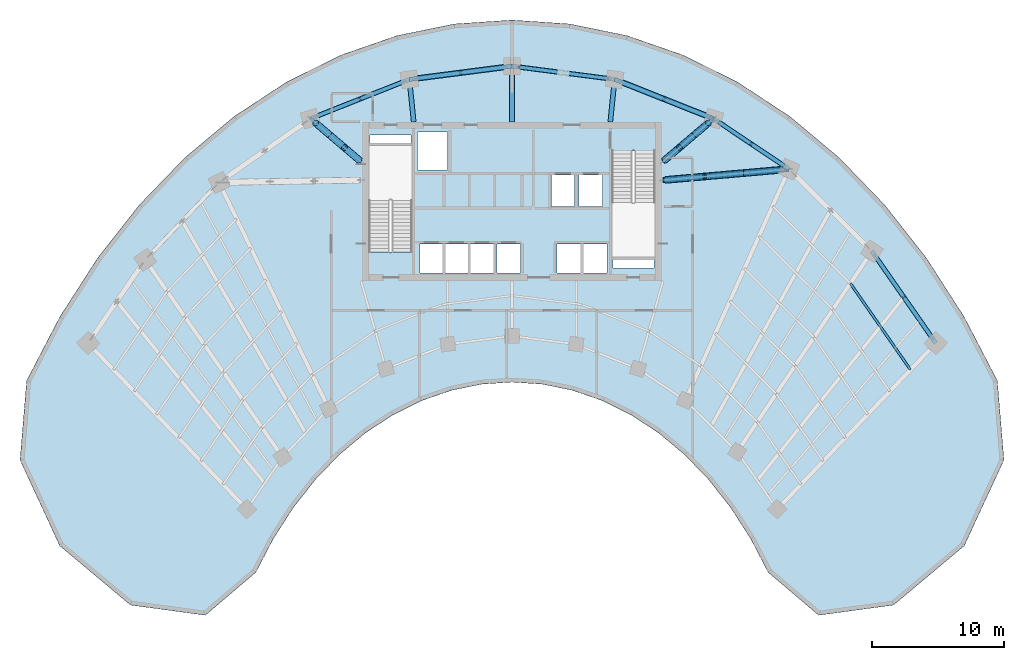
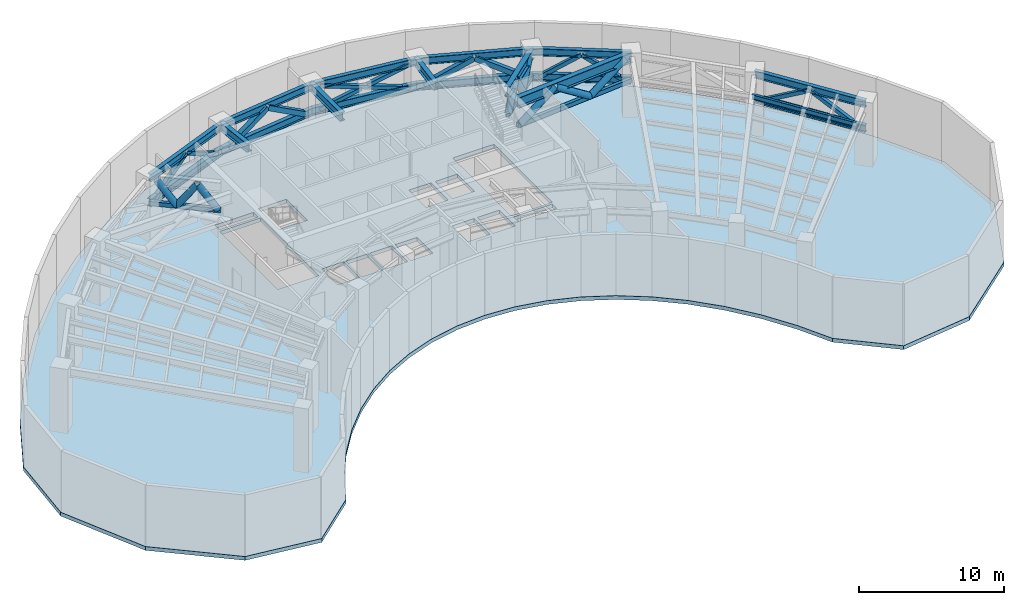
# One storey, part 3 of 10: 25 members, 18 beams, 1 slab.
"""IFC4 building model written with IfcOpenShell, lengths in metres."""

import ifcopenshell
import ifcopenshell.guid

model = None  # the IFC model being written
_history = None  # IfcOwnerHistory: only IFC2X3 demands one
_inside = {}  # id of a spatial element -> (the spatial element, [elements in it])
_under = {}  # id of a project, library or spatial element -> (it, [spatial elements below it])
_declared = {}  # id of a project -> (the project, [libraries it declares])
_typed = {}  # id of a type object -> (the type object, [elements of that type])
_made_of = {}  # id of a material, layer set ... -> (it, [elements and type objects made of it])


def new_model(schema):
    """Start an empty IFC model of exactly this schema.

    Asked for "IFC4X3", IfcOpenShell would pick the latest addendum, in which some entities
    have other attributes; the version numbers below select the first issue.
    IFC2X3 requires an IfcOwnerHistory on every rooted entity: one is made here for all.
    """
    global model, _history
    if schema == "IFC4X3":
        model = ifcopenshell.file(schema_version=(4, 3, 0, 0))
    else:
        model = ifcopenshell.file(schema=schema)
    _inside.clear()
    _under.clear()
    _declared.clear()
    _typed.clear()
    _made_of.clear()
    _history = None
    if model.schema == "IFC2X3":
        org = make("IfcOrganization", Name="unknown")
        user = make(
            "IfcPersonAndOrganization",
            ThePerson=make("IfcPerson", FamilyName="unknown"),
            TheOrganization=org,
        )
        app = make(
            "IfcApplication",
            ApplicationDeveloper=org,
            Version="unknown",
            ApplicationFullName="unknown",
            ApplicationIdentifier="unknown",
        )
        _history = make(
            "IfcOwnerHistory",
            OwningUser=user,
            OwningApplication=app,
            ChangeAction="ADDED",
            CreationDate=0,
        )
    return model


def make(cls, **values):
    """One entity of the class cls with the attributes given. An attribute that is None is left unset."""
    return model.create_entity(
        cls, **{name: value for name, value in values.items() if value is not None}
    )


def rooted(cls, **values):
    """An entity with a GlobalId (a new one), such as an element, a storey or a relation."""
    return make(cls, GlobalId=ifcopenshell.guid.new(), OwnerHistory=_history, **values)


def si_unit(unit_type, name, prefix=None):
    """IfcSIUnit, for example si_unit("LENGTHUNIT", "METRE", prefix="MILLI")."""
    return make("IfcSIUnit", UnitType=unit_type, Prefix=prefix, Name=name)


def assignment(units):
    """IfcUnitAssignment: the units of a project."""
    return None if units is None else make("IfcUnitAssignment", Units=units)


def point(xyz):
    """IfcCartesianPoint."""
    return None if xyz is None else make("IfcCartesianPoint", Coordinates=xyz)


def direction(xyz):
    """IfcDirection."""
    return None if xyz is None else make("IfcDirection", DirectionRatios=xyz)


def frame(location, z_axis=None, x_axis=None):
    """IfcAxis2Placement3D, a coordinate frame: its origin and axes. An axis left out is left unset."""
    return make(
        "IfcAxis2Placement3D",
        Location=point(location),
        Axis=direction(z_axis),
        RefDirection=direction(x_axis),
    )


def frame_2d(location, x_axis=None):
    """IfcAxis2Placement2D, a coordinate frame in the plane: its origin and x axis."""
    return make(
        "IfcAxis2Placement2D", Location=point(location), RefDirection=direction(x_axis)
    )


def origin():
    """The frame at (0, 0, 0) with its axes left unset."""
    return frame((0.0, 0.0, 0.0))


def origin_2d():
    """The frame at (0, 0) in the plane with its x axis left unset."""
    return frame_2d((0.0, 0.0))


def place(relative_to, where):
    """IfcLocalPlacement: puts the frame where relative to a parent placement (None: the world)."""
    return make(
        "IfcLocalPlacement", PlacementRelTo=relative_to, RelativePlacement=where
    )


def context(
    kind, dimensions, precision=None, world=None, true_north=None, identifier=None
):
    """IfcGeometricRepresentationContext, for example the 3D "Model" context."""
    return make(
        "IfcGeometricRepresentationContext",
        ContextIdentifier=identifier,
        ContextType=kind,
        CoordinateSpaceDimension=dimensions,
        Precision=precision,
        WorldCoordinateSystem=world,
        TrueNorth=true_north,
    )


def subcontext(parent, identifier, kind, view, scale=None):
    """IfcGeometricRepresentationSubContext, for example "Body" below "Model"."""
    return make(
        "IfcGeometricRepresentationSubContext",
        ContextIdentifier=identifier,
        ContextType=kind,
        ParentContext=parent,
        TargetScale=scale,
        TargetView=view,
    )


def project(units=None, contexts=None):
    """IfcProject with its units and contexts."""
    return rooted(
        "IfcProject",
        Name="project",
        RepresentationContexts=contexts,
        UnitsInContext=assignment(units),
    )


def spatial(cls, under=None, at=None, **own):
    """A site, building, storey or space (cls), placed at a placement, below another one or the project."""
    s = rooted(cls, ObjectPlacement=at, **own)
    if under is not None:
        _under.setdefault(under.id(), (under, []))[1].append(s)
    return s


def polyline(points):
    """IfcPolyline through the points."""
    return make("IfcPolyline", Points=[point(p) for p in points])


def profile(cls, at=None, kind="AREA", **sizes):
    """A parametric profile (cls). Its sizes go by their IFC names, for example OverallWidth=200.0."""
    return make(cls, ProfileType=kind, Position=at, **sizes)


def hollow_rectangle(**sizes):
    """IfcRectangleHollowProfileDef."""
    return profile("IfcRectangleHollowProfileDef", **sizes)


def hollow_circle(**sizes):
    """IfcCircleHollowProfileDef."""
    return profile("IfcCircleHollowProfileDef", **sizes)


def i_section(**sizes):
    """IfcIShapeProfileDef."""
    return profile("IfcIShapeProfileDef", **sizes)


def outline(outer, holes=None, kind="AREA"):
    """IfcArbitraryClosedProfileDef: a profile drawn as a closed curve; with holes, ...WithVoids."""
    if holes is None:
        return make("IfcArbitraryClosedProfileDef", ProfileType=kind, OuterCurve=outer)
    return make(
        "IfcArbitraryProfileDefWithVoids",
        ProfileType=kind,
        OuterCurve=outer,
        InnerCurves=holes,
    )


def extrude(swept, where, along, depth):
    """IfcExtrudedAreaSolid: the profile swept, set in the frame where, extruded along a direction by depth."""
    return make(
        "IfcExtrudedAreaSolid",
        SweptArea=swept,
        Position=where,
        ExtrudedDirection=direction(along),
        Depth=depth,
    )


def shape(context_of_items, identifier, shape_type, items):
    """IfcShapeRepresentation: the items that make up one representation, for example the "Body"."""
    return make(
        "IfcShapeRepresentation",
        ContextOfItems=context_of_items,
        RepresentationIdentifier=identifier,
        RepresentationType=shape_type,
        Items=items,
    )


def source(mapping_origin, context_of_items, identifier, shape_type, items):
    """IfcRepresentationMap: a shape defined once, which mapped items show again and again."""
    return make(
        "IfcRepresentationMap",
        MappingOrigin=mapping_origin,
        MappedRepresentation=shape(context_of_items, identifier, shape_type, items),
    )


def transform(
    local_origin,
    x_axis=None,
    y_axis=None,
    z_axis=None,
    scale=None,
    scale2=None,
    scale3=None,
    uniform=True,
):
    """IfcCartesianTransformationOperator3D, or its non-uniform kind. x_axis, y_axis, z_axis: its Axis1, 2, 3."""
    if uniform:
        return make(
            "IfcCartesianTransformationOperator3D",
            Axis1=direction(x_axis),
            Axis2=direction(y_axis),
            LocalOrigin=point(local_origin),
            Scale=scale,
            Axis3=direction(z_axis),
        )
    return make(
        "IfcCartesianTransformationOperator3DnonUniform",
        Axis1=direction(x_axis),
        Axis2=direction(y_axis),
        LocalOrigin=point(local_origin),
        Scale=scale,
        Axis3=direction(z_axis),
        Scale2=scale2,
        Scale3=scale3,
    )


def mapped(mapping_source, mapping_target):
    """IfcMappedItem: shows the shape of a source again, moved by a transform."""
    return make(
        "IfcMappedItem", MappingSource=mapping_source, MappingTarget=mapping_target
    )


def material(Name=None, Category=None):
    """IfcMaterial."""
    return make("IfcMaterial", Name=Name, Category=Category)


def layer(
    of_material, thickness, ventilated=None, Name=None, Category=None, Priority=None
):
    """IfcMaterialLayer: one layer of a wall or slab, of a material (None: an air gap)."""
    return make(
        "IfcMaterialLayer",
        Material=of_material,
        LayerThickness=thickness,
        IsVentilated=ventilated,
        Name=Name,
        Category=Category,
        Priority=Priority,
    )


def layer_set(layers, Name=None):
    """IfcMaterialLayerSet."""
    return make("IfcMaterialLayerSet", MaterialLayers=layers, LayerSetName=Name)


def material_profile(
    of_material, cross_section, Name=None, Category=None, Priority=None
):
    """IfcMaterialProfile: a cross section and its material."""
    return make(
        "IfcMaterialProfile",
        Name=Name,
        Material=of_material,
        Profile=cross_section,
        Priority=Priority,
        Category=Category,
    )


def profile_set(profiles, Name=None, composite=None):
    """IfcMaterialProfileSet."""
    return make(
        "IfcMaterialProfileSet",
        Name=Name,
        MaterialProfiles=profiles,
        CompositeProfile=composite,
    )


def made_of(thing, what):
    """Note that an element or type object is made of a material, layer set ...; save() writes the relation."""
    if what is not None:
        _made_of.setdefault(what.id(), (what, []))[1].append(thing)
    return thing


def type_object(cls, material=None, **own):
    """A type object (cls), such as IfcWallType, which elements share."""
    return made_of(rooted(cls, **own), material)


def element(
    cls,
    number,
    at=None,
    inside=None,
    cuts=None,
    type_object=None,
    material=None,
    context=None,
    identifier="Body",
    shape_type=None,
    held_by="IfcProductDefinitionShape",
    body=None,
    shapes=None,
    **own,
):
    """One element of the class cls, such as IfcWall. Its Tag is "e" and its number.

    at: its placement. inside: the storey or other place that contains it. cuts: it is an
    opening in that element (IfcRelVoidsElement). A single representation is given by context,
    identifier, shape_type and body (its items); several are given by shapes. held_by: the class
    of the entity that holds the representations. save() writes the other relations.
    """
    e = rooted(cls, Tag="e%d" % number, ObjectPlacement=at, **own)
    if body is not None:
        shapes = [shape(context, identifier, shape_type, body)]
    if shapes is not None:
        e.Representation = make(held_by, Representations=shapes)
    if inside is not None:
        _inside.setdefault(inside.id(), (inside, []))[1].append(e)
    if cuts is not None:
        rooted(
            "IfcRelVoidsElement", RelatingBuildingElement=cuts, RelatedOpeningElement=e
        )
    if type_object is not None:
        _typed.setdefault(type_object.id(), (type_object, []))[1].append(e)
    return made_of(e, material)


def aggregate(whole, parts):
    """IfcRelAggregates: a whole, such as a stair, and the parts it consists of."""
    return rooted("IfcRelAggregates", RelatingObject=whole, RelatedObjects=parts)


def save(model, path):
    """Write the relations noted so far, then the file.

    IfcRelAggregates (storeys below a building ...), IfcRelContainedInSpatialStructure (elements
    in a storey), IfcRelDefinesByType, IfcRelAssociatesMaterial and IfcRelDeclares: one each for
    every whole, place, type object, material and project.
    """
    for whole, parts in _under.values():
        aggregate(whole, parts)
    for where, things in _inside.values():
        rooted(
            "IfcRelContainedInSpatialStructure",
            RelatedElements=things,
            RelatingStructure=where,
        )
    for kind, things in _typed.values():
        rooted("IfcRelDefinesByType", RelatedObjects=things, RelatingType=kind)
    for what, things in _made_of.values():
        rooted("IfcRelAssociatesMaterial", RelatedObjects=things, RelatingMaterial=what)
    for by, libraries in _declared.values():
        rooted("IfcRelDeclares", RelatingContext=by, RelatedDefinitions=libraries)
    model.write(path)


model = new_model("IFC4")

# Units and contexts
model_context = context("Model", 3, precision=1e-05, world=origin(), true_north=direction((0.0, 1.0)))
body_context = subcontext(model_context, "Body", "Model", "MODEL_VIEW")
ifc_project = project(units=[si_unit("LENGTHUNIT", "METRE"), si_unit("AREAUNIT", "SQUARE_METRE"), si_unit("VOLUMEUNIT", "CUBIC_METRE"), si_unit("PLANEANGLEUNIT", "RADIAN"), si_unit("MASSUNIT", "GRAM", prefix="KILO")], contexts=[model_context])

# Site, building, storey
site_placement = place(None, origin())
site = spatial("IfcSite", under=ifc_project, at=site_placement, CompositionType="ELEMENT")
building_placement = place(site_placement, origin())
building = spatial("IfcBuilding", under=site, at=building_placement, Name="Breltana Convention Tower", CompositionType="ELEMENT")
storey_placement = place(building_placement, frame((0.0, 0.0, 85.800048828125)))
storey = spatial("IfcBuildingStorey", under=building, at=storey_placement, Name="L20", CompositionType="ELEMENT", Elevation=85.800048828125)

# Beam
ifc_material_1 = material(Name="Steel ASTM A992 Grade 50", Category="steel")
ifc_material_profile_1 = material_profile(ifc_material_1, i_section(OverallWidth=0.39990234375, OverallDepth=0.85595703125, WebThickness=0.018310546875, FlangeThickness=0.029296875, at=origin_2d()), Name="W33X201")
ifc_profile_set_1 = profile_set([ifc_material_profile_1], Name="Steel ASTM A992 Grade 50")
beam_type_1 = type_object("IfcBeamType", Name="BM-OT-W33X201", PredefinedType="USERDEFINED", material=ifc_profile_set_1)
shared_shape_1 = source(origin(), body_context, "Body", "SweptSolid", [
    extrude(i_section(OverallWidth=0.39990234375, OverallDepth=0.85595703125, WebThickness=0.018310546875, FlangeThickness=0.029296875, at=origin_2d()), origin(), (0.0, 0.0, 1.0), 5.002197265625),
])
beam_1_placement = place(storey_placement, frame((59.39990234375, 69.199951171875, 4.721923828125), z_axis=(0.761474293841, 0.648195109377, 0.0), x_axis=(-0.648195109377, 0.761474293841, 0.0)))
element("IfcBeam", 1, at=beam_1_placement, inside=storey, type_object=beam_type_1, Name="L20 Outrigger Top Chord R08N", ObjectType="GIRDER", PredefinedType="USERDEFINED", context=body_context, shape_type="MappedRepresentation", body=[
    mapped(shared_shape_1, transform((0.0, 0.0, 0.0), scale=1.0)),
])

# Members
ifc_material_2 = material(Name="Steel EN 10210 S355J2H", Category="steel")
ifc_material_profile_2 = material_profile(ifc_material_2, hollow_rectangle(XDim=0.25, YDim=0.35009765625, WallThickness=0.011962890625, at=origin_2d()), Name="RHS350X250X12")
ifc_profile_set_2 = profile_set([ifc_material_profile_2], Name="Steel EN 10210 S355J2H")
member_type_1 = type_object("IfcMemberType", Name="MB-CH-RHS350X250X12", PredefinedType="CHORD", material=ifc_profile_set_2)
shared_shape_2 = source(origin(), body_context, "Body", "SweptSolid", [
    extrude(hollow_rectangle(XDim=0.25, YDim=0.35009765625, WallThickness=0.011962890625, at=origin_2d()), origin(), (0.0, 0.0, 1.0), 5.002197265625),
])
for number, where, z_axis, x_axis, name in (
    (2, (36.60009765625, 69.199951171875, 2.75), (-0.761474293841, 0.648195109377, 0.0), (-0.648195109377, -0.761474293841, 0.0), "L20 Outrigger Truss Bottom Chord R04N"),
    (3, (59.39990234375, 69.199951171875, 2.75), (0.761474293841, 0.648195109377, 0.0), (-0.648195109377, 0.761474293841, 0.0), "L20 Outrigger Truss Bottom Chord R08N"),
):
    element("IfcMember", number, at=place(storey_placement, frame(where, z_axis=z_axis, x_axis=x_axis)), inside=storey, type_object=member_type_1, Name=name, PredefinedType="CHORD", context=body_context, shape_type="MappedRepresentation", body=[
        mapped(shared_shape_2, transform((0.0, 0.0, 0.0), scale=1.0)),
    ])
ifc_material_profile_3 = material_profile(ifc_material_2, hollow_circle(Radius=0.25390625, WallThickness=0.02001953125, at=origin_2d()), Name="CHS508X20")
ifc_profile_set_3 = profile_set([ifc_material_profile_3], Name="Steel EN 10210 S355J2H")
member_type_2 = type_object("IfcMemberType", Name="MB-BR-CHS508X20", PredefinedType="BRACE", material=ifc_profile_set_3)
shared_shape_3 = source(origin(), body_context, "Body", "SweptSolid", [
    extrude(hollow_circle(Radius=0.25390625, WallThickness=0.02001953125, at=origin_2d()), origin(), (0.0, 0.0, 1.0), 2.438232421875),
])
for number, where, z_axis, x_axis, name in (
    (4, (36.44775390625, 69.32958984375, 2.75), (-0.44786798356, 0.38128354156, 0.808725621108), (-0.648236249952, -0.761439271543, 0.0), "L20 Outrigger Truss Diagonal 1 R04N"),
    (5, (35.355712890625, 70.25927734375, 4.721923828125), (-0.447885080447, 0.381197965853, -0.808756493354), (-0.64813753594, -0.761523298728, 0.0), "L20 Outrigger Truss Diagonal 2 R04N"),
    (6, (34.263671875, 71.188720703125, 2.75), (-0.44786798356, 0.38128354156, 0.808725621108), (-0.648236249952, -0.761439271543, 0.0), "L20 Outrigger Truss Diagonal 3 R04N"),
    (7, (59.55224609375, 69.32958984375, 2.75), (0.44786798356, 0.38128354156, 0.808725621108), (-0.648236249952, 0.761439271543, 0.0), "L20 Outrigger Truss Diagonal 1 R08N"),
    (8, (60.644287109375, 70.25927734375, 4.721923828125), (0.447885080447, 0.381197965853, -0.808756493354), (-0.64813753594, 0.761523298728, 0.0), "L20 Outrigger Truss Diagonal 2 R08N"),
    (9, (61.736328125, 71.188720703125, 2.75), (0.44786798356, 0.38128354156, 0.808725621108), (-0.648236249952, 0.761439271543, 0.0), "L20 Outrigger Truss Diagonal 3 R08N"),
):
    element("IfcMember", number, at=place(storey_placement, frame(where, z_axis=z_axis, x_axis=x_axis)), inside=storey, type_object=member_type_2, Name=name, PredefinedType="BRACE", context=body_context, shape_type="MappedRepresentation", body=[
        mapped(shared_shape_3, transform((0.0, 0.0, 0.0), scale=1.0)),
    ])

# Beam
shared_shape_4 = source(origin(), body_context, "Body", "SweptSolid", [
    extrude(i_section(OverallWidth=0.39990234375, OverallDepth=0.85595703125, WebThickness=0.018310546875, FlangeThickness=0.029296875, at=origin_2d()), origin(), (0.0, 0.0, 1.0), 9.546875),
])
beam_2_placement = place(storey_placement, frame((59.39990234375, 67.800048828125, 4.721923828125), z_axis=(0.996183857182, 0.087279566283, 0.0), x_axis=(-0.087279566283, 0.996183857182, 0.0)))
element("IfcBeam", 10, at=beam_2_placement, inside=storey, type_object=beam_type_1, Name="L20 Outrigger Top Chord R09E", ObjectType="GIRDER", PredefinedType="USERDEFINED", context=body_context, shape_type="MappedRepresentation", body=[
    mapped(shared_shape_4, transform((0.0, 0.0, 0.0), scale=1.0)),
])

# Members
shared_shape_5 = source(origin(), body_context, "Body", "SweptSolid", [
    extrude(hollow_rectangle(XDim=0.25, YDim=0.35009765625, WallThickness=0.011962890625, at=origin_2d()), origin(), (0.0, 0.0, 1.0), 9.546875),
])
member_1_placement = place(storey_placement, frame((59.39990234375, 67.800048828125, 2.75), z_axis=(0.996183857182, 0.087279566283, 0.0), x_axis=(-0.087279566283, 0.996183857182, 0.0)))
element("IfcMember", 11, at=member_1_placement, inside=storey, type_object=member_type_1, Name="L20 Outrigger Truss Bottom Chord R09E", PredefinedType="CHORD", context=body_context, shape_type="MappedRepresentation", body=[
    mapped(shared_shape_5, transform((0.0, 0.0, 0.0), scale=1.0)),
])
shared_shape_6 = source(origin(), body_context, "Body", "SweptSolid", [
    extrude(hollow_circle(Radius=0.25390625, WallThickness=0.02001953125, at=origin_2d()), origin(), (0.0, 0.0, 1.0), 3.5478515625),
])
member_2_placement = place(storey_placement, frame((59.59912109375, 67.8173828125, 2.75), z_axis=(0.828124895283, 0.072600279585, 0.555822235267), x_axis=(-0.087333305676, 0.996179147403, 0.0)))
element("IfcMember", 12, at=member_2_placement, inside=storey, type_object=member_type_2, Name="L20 Outrigger Truss Diagonal 1 R09E", PredefinedType="BRACE", context=body_context, shape_type="MappedRepresentation", body=[
    mapped(shared_shape_6, transform((0.0, 0.0, 0.0), scale=1.0)),
])
shared_shape_7 = source(origin(), body_context, "Body", "SweptSolid", [
    extrude(hollow_circle(Radius=0.25390625, WallThickness=0.02001953125, at=origin_2d()), origin(), (0.0, 0.0, 1.0), 3.54736328125),
])
member_3_placement = place(storey_placement, frame((62.537109375, 68.074951171875, 4.721923828125), z_axis=(0.828085779137, 0.072540094017, -0.555888367527), x_axis=(-0.087265548524, 0.996185085233, 0.0)))
element("IfcMember", 13, at=member_3_placement, inside=storey, type_object=member_type_2, Name="L20 Outrigger Truss Diagonal 2 R09E", PredefinedType="BRACE", context=body_context, shape_type="MappedRepresentation", body=[
    mapped(shared_shape_7, transform((0.0, 0.0, 0.0), scale=1.0)),
])
shared_shape_8 = source(origin(), body_context, "Body", "SweptSolid", [
    extrude(hollow_circle(Radius=0.25390625, WallThickness=0.02001953125, at=origin_2d()), origin(), (0.0, 0.0, 1.0), 3.547607421875),
])
member_4_placement = place(storey_placement, frame((65.474609375, 68.332275390625, 2.75), z_axis=(0.828107406758, 0.072535960004, 0.555856687807), x_axis=(-0.087258351559, 0.996185715659, 0.0)))
element("IfcMember", 14, at=member_4_placement, inside=storey, type_object=member_type_2, Name="L20 Outrigger Truss Diagonal 3 R09E", PredefinedType="BRACE", context=body_context, shape_type="MappedRepresentation", body=[
    mapped(shared_shape_8, transform((0.0, 0.0, 0.0), scale=1.0)),
])

# Beams
ifc_material_profile_4 = material_profile(ifc_material_1, i_section(OverallWidth=0.323974609375, OverallDepth=0.611083984375, WebThickness=0.0126953125, FlangeThickness=0.01904296875, at=origin_2d()), Name="W24X104")
ifc_profile_set_4 = profile_set([ifc_material_profile_4], Name="Steel ASTM A992 Grade 50")
beam_type_2 = type_object("IfcBeamType", Name="BM-SP-W24X104", PredefinedType="SPANDREL", material=ifc_profile_set_4)
shared_shape_9 = source(origin(), body_context, "Body", "SweptSolid", [
    extrude(i_section(OverallWidth=0.323974609375, OverallDepth=0.611083984375, WebThickness=0.0126953125, FlangeThickness=0.01904296875, at=origin_2d()), origin(), (0.0, 0.0, 1.0), 8.028564453125),
])
for number, where, z_axis, x_axis, name in (
    (15, (32.791015625, 72.4423828125, 2.75), (0.929459100394, 0.368925169507, 0.0), (-0.368925169507, 0.929459100394, 0.0), "L20 Perimeter Belt Truss Sill Chord 04"),
    (16, (55.746826171875, 75.404296875, 2.75), (0.929459100394, -0.368925169507, 0.0), (0.368925169507, 0.929459100394, 0.0), "L20 Perimeter Belt Truss Sill Chord 07"),
    (17, (32.791015625, 72.4423828125, 4.844482421875), (0.929459100394, 0.368925169507, 0.0), (-0.368925169507, 0.929459100394, 0.0), "L20 Outer Spandrel Beam 04"),
    (18, (55.746826171875, 75.404296875, 4.844482421875), (0.929459100394, -0.368925169507, 0.0), (0.368925169507, 0.929459100394, 0.0), "L20 Outer Spandrel Beam 07"),
):
    element("IfcBeam", number, at=place(storey_placement, frame(where, z_axis=z_axis, x_axis=x_axis)), inside=storey, type_object=beam_type_2, Name=name, PredefinedType="SPANDREL", context=body_context, shape_type="MappedRepresentation", body=[
        mapped(shared_shape_9, transform((0.0, 0.0, 0.0), scale=1.0)),
    ])

# Members
ifc_material_profile_5 = material_profile(ifc_material_2, hollow_rectangle(XDim=0.300048828125, YDim=0.300048828125, WallThickness=0.011962890625, at=origin_2d()), Name="RHS300X300X12")
ifc_profile_set_5 = profile_set([ifc_material_profile_5], Name="Steel EN 10210 S355J2H")
member_type_3 = type_object("IfcMemberType", Name="MB-BR-RHS300X300X12", PredefinedType="BRACE", material=ifc_profile_set_5)
shared_shape_10 = source(origin(), body_context, "Body", "SweptSolid", [
    extrude(hollow_rectangle(XDim=0.300048828125, YDim=0.300048828125, WallThickness=0.011962890625, at=origin_2d()), origin(), (0.0, 0.0, 1.0), 3.986328125),
])
member_5_placement = place(storey_placement, frame((33.30224609375, 72.6455078125, 2.75), z_axis=(0.807769775693, 0.320621334123, 0.494681664893), x_axis=(-0.368922833074, 0.929460027778, 0.0)))
element("IfcMember", 19, at=member_5_placement, inside=storey, type_object=member_type_3, Name="L20 Perimeter Belt Truss Brace 04A", PredefinedType="BRACE", context=body_context, shape_type="MappedRepresentation", body=[
    mapped(shared_shape_10, transform((0.0, 0.0, 0.0), scale=1.0)),
])
shared_shape_11 = source(origin(), body_context, "Body", "SweptSolid", [
    extrude(hollow_rectangle(XDim=0.300048828125, YDim=0.300048828125, WallThickness=0.011962890625, at=origin_2d()), origin(), (0.0, 0.0, 1.0), 3.986083984375),
])
member_6_placement = place(storey_placement, frame((36.522216796875, 73.923583984375, 4.721923828125), z_axis=(0.807764352761, 0.320582243126, -0.494715853598), x_axis=(-0.368886113541, 0.929474601717, 0.0)))
element("IfcMember", 20, at=member_6_placement, inside=storey, type_object=member_type_3, Name="L20 Perimeter Belt Truss Brace 04B", PredefinedType="BRACE", context=body_context, shape_type="MappedRepresentation", body=[
    mapped(shared_shape_11, transform((0.0, 0.0, 0.0), scale=1.0)),
])

# Beams
shared_shape_12 = source(origin(), body_context, "Body", "SweptSolid", [
    extrude(i_section(OverallWidth=0.323974609375, OverallDepth=0.611083984375, WebThickness=0.0126953125, FlangeThickness=0.01904296875, at=origin_2d()), origin(), (0.0, 0.0, 1.0), 7.81103515625),
])
for number, where, z_axis, x_axis, name in (
    (21, (40.253173828125, 75.404296875, 2.75), (0.991775179127, 0.127992164083, 0.0), (-0.127992164083, 0.991775179127, 0.0), "L20 Perimeter Belt Truss Sill Chord 05"),
    (22, (48.0, 76.404052734375, 2.75), (0.991775179127, -0.127992164083, 0.0), (0.127992164083, 0.991775179127, 0.0), "L20 Perimeter Belt Truss Sill Chord 06"),
    (23, (40.253173828125, 75.404296875, 4.844482421875), (0.991775179127, 0.127992164083, 0.0), (-0.127992164083, 0.991775179127, 0.0), "L20 Outer Spandrel Beam 05"),
    (24, (48.0, 76.404052734375, 4.844482421875), (0.991775179127, -0.127992164083, 0.0), (0.127992164083, 0.991775179127, 0.0), "L20 Outer Spandrel Beam 06"),
):
    element("IfcBeam", number, at=place(storey_placement, frame(where, z_axis=z_axis, x_axis=x_axis)), inside=storey, type_object=beam_type_2, Name=name, PredefinedType="SPANDREL", context=body_context, shape_type="MappedRepresentation", body=[
        mapped(shared_shape_12, transform((0.0, 0.0, 0.0), scale=1.0)),
    ])

# Members
ifc_material_profile_6 = material_profile(ifc_material_2, hollow_rectangle(XDim=0.39990234375, YDim=0.39990234375, WallThickness=0.01611328125, at=origin_2d()), Name="RHS400X400X16")
ifc_profile_set_6 = profile_set([ifc_material_profile_6], Name="Steel EN 10210 S355J2H")
member_type_4 = type_object("IfcMemberType", Name="MB-BR-RHS400X400X16", PredefinedType="BRACE", material=ifc_profile_set_6)
shared_shape_13 = source(origin(), body_context, "Body", "SweptSolid", [
    extrude(hollow_rectangle(XDim=0.39990234375, YDim=0.39990234375, WallThickness=0.01611328125, at=origin_2d()), origin(), (0.0, 0.0, 1.0), 3.892333984375),
])
member_7_placement = place(storey_placement, frame((40.798583984375, 75.474853515625, 2.75), z_axis=(0.855072703408, 0.11033398513, 0.506633085785), x_axis=(-0.127973646087, 0.991777568766, 0.0)))
element("IfcMember", 25, at=member_7_placement, inside=storey, type_object=member_type_4, Name="L20 Perimeter Belt Truss Brace 05A", PredefinedType="BRACE", context=body_context, shape_type="MappedRepresentation", body=[
    mapped(shared_shape_13, transform((0.0, 0.0, 0.0), scale=1.0)),
])
shared_shape_14 = source(origin(), body_context, "Body", "SweptSolid", [
    extrude(hollow_rectangle(XDim=0.39990234375, YDim=0.39990234375, WallThickness=0.01611328125, at=origin_2d()), origin(), (0.0, 0.0, 1.0), 3.89208984375),
])
member_8_placement = place(storey_placement, frame((44.126708984375, 75.904296875, 4.721923828125), z_axis=(0.85506175492, 0.110277937433, -0.506663766011), x_axis=(-0.127911312618, 0.99178560995, 0.0)))
element("IfcMember", 26, at=member_8_placement, inside=storey, type_object=member_type_4, Name="L20 Perimeter Belt Truss Brace 05B", PredefinedType="BRACE", context=body_context, shape_type="MappedRepresentation", body=[
    mapped(shared_shape_14, transform((0.0, 0.0, 0.0), scale=1.0)),
])
shared_shape_15 = source(origin(), body_context, "Body", "SweptSolid", [
    extrude(hollow_rectangle(XDim=0.300048828125, YDim=0.300048828125, WallThickness=0.011962890625, at=origin_2d()), origin(), (0.0, 0.0, 1.0), 6.994873046875),
])
member_9_placement = place(storey_placement, frame((48.54541015625, 76.33349609375, 4.721923828125), z_axis=(0.951555739097, -0.12275323825, -0.281910123783), x_axis=(0.127942480685, 0.991781589684, 0.0)))
element("IfcMember", 27, at=member_9_placement, inside=storey, type_object=member_type_3, Name="L20 Perimeter Belt Truss Brace 06", PredefinedType="BRACE", context=body_context, shape_type="MappedRepresentation", body=[
    mapped(shared_shape_15, transform((0.0, 0.0, 0.0), scale=1.0)),
])
shared_shape_16 = source(origin(), body_context, "Body", "SweptSolid", [
    extrude(hollow_rectangle(XDim=0.300048828125, YDim=0.300048828125, WallThickness=0.011962890625, at=origin_2d()), origin(), (0.0, 0.0, 1.0), 3.25732421875),
])
for number, where, z_axis, x_axis, name in (
    (28, (48.54541015625, 76.33349609375, 2.75), (0.95156111362, -0.122767572788, 0.281885739471), (0.127956465707, 0.991779785479, 0.0), "L20 Split X-Brace Lower Segment 06A"),
    (29, (52.101806640625, 75.874755859375, 3.8037109375), (0.95156111362, -0.122767572788, 0.281885739471), (0.127956465707, 0.991779785479, 0.0), "L20 Split X-Brace Upper Segment 06B"),
):
    element("IfcMember", number, at=place(storey_placement, frame(where, z_axis=z_axis, x_axis=x_axis)), inside=storey, type_object=member_type_3, Name=name, PredefinedType="BRACE", context=body_context, shape_type="MappedRepresentation", body=[
        mapped(shared_shape_16, transform((0.0, 0.0, 0.0), scale=1.0)),
    ])
shared_shape_17 = source(origin(), body_context, "Body", "SweptSolid", [
    extrude(hollow_rectangle(XDim=0.39990234375, YDim=0.39990234375, WallThickness=0.01611328125, at=origin_2d()), origin(), (0.0, 0.0, 1.0), 3.986083984375),
])
member_10_placement = place(storey_placement, frame((56.258056640625, 75.201416015625, 2.75), z_axis=(0.807764352761, -0.320582243126, 0.494715853598), x_axis=(0.368886113541, 0.929474601717, 0.0)))
element("IfcMember", 30, at=member_10_placement, inside=storey, type_object=member_type_4, Name="L20 Perimeter Belt Truss Brace 07A", PredefinedType="BRACE", context=body_context, shape_type="MappedRepresentation", body=[
    mapped(shared_shape_17, transform((0.0, 0.0, 0.0), scale=1.0)),
])
shared_shape_18 = source(origin(), body_context, "Body", "SweptSolid", [
    extrude(hollow_rectangle(XDim=0.39990234375, YDim=0.39990234375, WallThickness=0.01611328125, at=origin_2d()), origin(), (0.0, 0.0, 1.0), 3.986328125),
])
member_11_placement = place(storey_placement, frame((59.477783203125, 73.923583984375, 4.721923828125), z_axis=(0.807769775693, -0.320621334123, -0.494681664893), x_axis=(0.368922833074, 0.929460027778, 0.0)))
element("IfcMember", 31, at=member_11_placement, inside=storey, type_object=member_type_4, Name="L20 Perimeter Belt Truss Brace 07B", PredefinedType="BRACE", context=body_context, shape_type="MappedRepresentation", body=[
    mapped(shared_shape_18, transform((0.0, 0.0, 0.0), scale=1.0)),
])

# Beams
shared_shape_19 = source(origin(), body_context, "Body", "SweptSolid", [
    extrude(i_section(OverallWidth=0.323974609375, OverallDepth=0.611083984375, WebThickness=0.0126953125, FlangeThickness=0.01904296875, at=origin_2d()), origin(), (0.0, 0.0, 1.0), 6.856689453125),
])
for number, where, z_axis, x_axis, name in (
    (32, (63.208984375, 72.4423828125, 2.75), (0.83150210718, -0.55552159792, 0.0), (0.55552159792, 0.83150210718, 0.0), "L20 Perimeter Belt Truss Sill Chord 08"),
    (33, (63.208984375, 72.4423828125, 4.844482421875), (0.83150210718, -0.55552159792, 0.0), (0.55552159792, 0.83150210718, 0.0), "L20 Outer Spandrel Beam 08"),
):
    element("IfcBeam", number, at=place(storey_placement, frame(where, z_axis=z_axis, x_axis=x_axis)), inside=storey, type_object=beam_type_2, Name=name, PredefinedType="SPANDREL", context=body_context, shape_type="MappedRepresentation", body=[
        mapped(shared_shape_19, transform((0.0, 0.0, 0.0), scale=1.0)),
    ])

# Members
shared_shape_20 = source(origin(), body_context, "Body", "SweptSolid", [
    extrude(hollow_rectangle(XDim=0.300048828125, YDim=0.300048828125, WallThickness=0.011962890625, at=origin_2d()), origin(), (0.0, 0.0, 1.0), 3.4892578125),
])
member_12_placement = place(storey_placement, frame((63.666259765625, 72.136962890625, 2.75), z_axis=(0.68598223155, -0.45830106249, 0.565144684234), x_axis=(0.555521954479, 0.831501868964, 0.0)))
element("IfcMember", 34, at=member_12_placement, inside=storey, type_object=member_type_3, Name="L20 Perimeter Belt Truss Brace 08A", PredefinedType="BRACE", context=body_context, shape_type="MappedRepresentation", body=[
    mapped(shared_shape_20, transform((0.0, 0.0, 0.0), scale=1.0)),
])
shared_shape_21 = source(origin(), body_context, "Body", "SweptSolid", [
    extrude(hollow_rectangle(XDim=0.300048828125, YDim=0.300048828125, WallThickness=0.011962890625, at=origin_2d()), origin(), (0.0, 0.0, 1.0), 3.489013671875),
])
member_13_placement = place(storey_placement, frame((66.059814453125, 70.537841796875, 4.721923828125), z_axis=(0.685945184976, -0.45832306045, -0.565171810574), x_axis=(0.555561133013, 0.831475692661, 0.0)))
element("IfcMember", 35, at=member_13_placement, inside=storey, type_object=member_type_3, Name="L20 Perimeter Belt Truss Brace 08B", PredefinedType="BRACE", context=body_context, shape_type="MappedRepresentation", body=[
    mapped(shared_shape_21, transform((0.0, 0.0, 0.0), scale=1.0)),
])

# Beams
shared_shape_22 = source(origin(), body_context, "Body", "SweptSolid", [
    extrude(i_section(OverallWidth=0.323974609375, OverallDepth=0.611083984375, WebThickness=0.0126953125, FlangeThickness=0.01904296875, at=origin_2d()), origin(), (0.0, 0.0, 1.0), 8.44970703125),
])
for number, where, z_axis, x_axis, name in (
    (36, (75.166748046875, 62.43017578125, 2.75), (0.5711855381, -0.820820979913, 0.0), (0.820820979913, 0.5711855381, 0.0), "L20 Perimeter Belt Truss Sill Chord 10"),
    (37, (75.166748046875, 62.43017578125, 4.844482421875), (0.5711855381, -0.820820979913, 0.0), (0.820820979913, 0.5711855381, 0.0), "L20 Outer Spandrel Beam 10"),
):
    element("IfcBeam", number, at=place(storey_placement, frame(where, z_axis=z_axis, x_axis=x_axis)), inside=storey, type_object=beam_type_2, Name=name, PredefinedType="SPANDREL", context=body_context, shape_type="MappedRepresentation", body=[
        mapped(shared_shape_22, transform((0.0, 0.0, 0.0), scale=1.0)),
    ])

# Members
shared_shape_23 = source(origin(), body_context, "Body", "SweptSolid", [
    extrude(hollow_rectangle(XDim=0.300048828125, YDim=0.300048828125, WallThickness=0.011962890625, at=origin_2d()), origin(), (0.0, 0.0, 1.0), 4.170654296875),
])
member_14_placement = place(storey_placement, frame((75.48095703125, 61.978759765625, 2.75), z_axis=(0.503259031469, -0.723306803865, 0.472818796926), x_axis=(0.820857806591, 0.57113261276, 0.0)))
element("IfcMember", 38, at=member_14_placement, inside=storey, type_object=member_type_3, Name="L20 Perimeter Belt Truss Brace 10A", PredefinedType="BRACE", context=body_context, shape_type="MappedRepresentation", body=[
    mapped(shared_shape_23, transform((0.0, 0.0, 0.0), scale=1.0)),
])
shared_shape_24 = source(origin(), body_context, "Body", "SweptSolid", [
    extrude(hollow_rectangle(XDim=0.300048828125, YDim=0.300048828125, WallThickness=0.011962890625, at=origin_2d()), origin(), (0.0, 0.0, 1.0), 4.17041015625),
])
member_15_placement = place(storey_placement, frame((77.579833984375, 58.962158203125, 4.721923828125), z_axis=(0.503324052196, -0.723257579074, -0.472824885972), x_axis=(0.820804986481, 0.571208520742, 0.0)))
element("IfcMember", 39, at=member_15_placement, inside=storey, type_object=member_type_3, Name="L20 Perimeter Belt Truss Brace 10B", PredefinedType="BRACE", context=body_context, shape_type="MappedRepresentation", body=[
    mapped(shared_shape_24, transform((0.0, 0.0, 0.0), scale=1.0)),
])

# Beams
ifc_material_profile_7 = material_profile(ifc_material_1, i_section(OverallWidth=0.35498046875, OverallDepth=0.696044921875, WebThickness=0.015380859375, FlangeThickness=0.02490234375, at=origin_2d()), Name="W27X146")
ifc_profile_set_7 = profile_set([ifc_material_profile_7], Name="Steel ASTM A992 Grade 50")
beam_type_3 = type_object("IfcBeamType", Name="BM-RG-W27X146", PredefinedType="USERDEFINED", material=ifc_profile_set_7)
shared_shape_25 = source(origin(), body_context, "Body", "SweptSolid", [
    extrude(i_section(OverallWidth=0.35498046875, OverallDepth=0.696044921875, WebThickness=0.015380859375, FlangeThickness=0.02490234375, at=origin_2d()), origin(), (0.0, 0.0, 1.0), 3.220947265625),
])
for number, where, z_axis, x_axis, name in (
    (40, (40.580078125, 72.199951171875, 4.802001953125), (-0.101492254858, 0.994836329355, 0.0), (-0.994836329355, -0.101492254858, 0.0), "L20 North Core Radial Girder R05"),
    (41, (55.419921875, 72.199951171875, 4.802001953125), (0.101492254858, 0.994836329355, 0.0), (-0.994836329355, 0.101492254858, 0.0), "L20 North Core Radial Girder R07"),
):
    element("IfcBeam", number, at=place(storey_placement, frame(where, z_axis=z_axis, x_axis=x_axis)), inside=storey, type_object=beam_type_3, Name=name, ObjectType="GIRDER", PredefinedType="USERDEFINED", context=body_context, shape_type="MappedRepresentation", body=[
        mapped(shared_shape_25, transform((0.0, 0.0, 0.0), scale=1.0)),
    ])
shared_shape_26 = source(origin(), body_context, "Body", "SweptSolid", [
    extrude(i_section(OverallWidth=0.35498046875, OverallDepth=0.696044921875, WebThickness=0.015380859375, FlangeThickness=0.02490234375, at=origin_2d()), origin(), (0.0, 0.0, 1.0), 4.2041015625),
])
beam_3_placement = place(storey_placement, frame((48.0, 72.199951171875, 4.802001953125), z_axis=(0.0, 1.0, 0.0), x_axis=(-1.0, 0.0, 0.0)))
element("IfcBeam", 42, at=beam_3_placement, inside=storey, type_object=beam_type_3, Name="L20 North Core Radial Girder R06", ObjectType="GIRDER", PredefinedType="USERDEFINED", context=body_context, shape_type="MappedRepresentation", body=[
    mapped(shared_shape_26, transform((0.0, 0.0, 0.0), scale=1.0)),
])
ifc_material_profile_8 = material_profile(ifc_material_1, i_section(OverallWidth=0.179931640625, OverallDepth=0.4130859375, WebThickness=0.009765625, FlangeThickness=0.01611328125, at=origin_2d()), Name="W16X50")
ifc_profile_set_8 = profile_set([ifc_material_profile_8], Name="Steel ASTM A992 Grade 50")
beam_type_4 = type_object("IfcBeamType", Name="BM-JSG-08", PredefinedType="JOIST", material=ifc_profile_set_8)
shared_shape_27 = source(origin(), body_context, "Body", "SweptSolid", [
    extrude(i_section(OverallWidth=0.179931640625, OverallDepth=0.4130859375, WebThickness=0.009765625, FlangeThickness=0.01611328125, at=origin_2d()), origin(), (0.0, 0.0, 1.0), 7.94384765625),
])
beam_4_placement = place(storey_placement, frame((73.539306640625, 60.00830078125, 4.943359375), z_axis=(0.571213957374, -0.820801203034, 0.0), x_axis=(0.820801203034, 0.571213957374, 0.0)))
element("IfcBeam", 43, at=beam_4_placement, inside=storey, type_object=beam_type_4, Name="L20 Composite Floor Joist 10.6", PredefinedType="JOIST", context=body_context, shape_type="MappedRepresentation", body=[
    mapped(shared_shape_27, transform((0.0, 0.0, 0.0), scale=1.0)),
])

# Slab
ifc_material_3 = material(Name="Concrete C50/60", Category="concrete")
ifc_layer = layer(ifc_material_3, 0.320068359375, Name="Concrete C50/60")
ifc_layer_set = layer_set([ifc_layer], Name="Concrete C50/60")
slab_type = type_object("IfcSlabType", Name="SL-PLANT-320", PredefinedType="FLOOR", material=ifc_layer_set)
slab_placement = place(storey_placement, frame((0.0, 0.0, -0.320068359375)))
element("IfcSlab", 44, at=slab_placement, inside=storey, type_object=slab_type, Name="L20 Suspended Structural Floor Slab", PredefinedType="FLOOR", context=body_context, shape_type="SweptSolid", body=[
    extrude(outline(polyline([(84.6357421875, 52.676025390625), (82.134765625, 57.47998046875), (79.2841796875, 61.920654296875), (76.11328125, 65.95263671875), (72.65478515625, 69.53466796875), (68.94384765625, 72.6298828125), (65.018310546875, 75.206787109375), (60.918701171875, 77.239013671875), (56.6865234375, 78.705810546875), (52.365478515625, 79.591796875), (48.0, 79.887939453125), (43.634521484375, 79.591796875), (39.3134765625, 78.705810546875), (35.081298828125, 77.239013671875), (30.981689453125, 75.206787109375), (27.05615234375, 72.6298828125), (23.34521484375, 69.53466796875), (19.88671875, 65.95263671875), (16.7158203125, 61.920654296875), (13.865234375, 57.47998046875), (11.3642578125, 52.676025390625), (10.862548828125, 46.674072265625), (13.8564453125, 40.1982421875), (19.20263671875, 35.7216796875), (24.858642578125, 34.954833984375), (28.66455078125, 38.190185546875), (29.984619140625, 40.7255859375), (31.489013671875, 43.0693359375), (33.162353515625, 45.197265625), (34.98779296875, 47.087890625), (36.9462890625, 48.721435546875), (39.01806640625, 50.081298828125), (41.181884765625, 51.154052734375), (43.415283203125, 51.927978515625), (45.69580078125, 52.3955078125), (48.0, 52.552001953125), (50.30419921875, 52.3955078125), (52.584716796875, 51.927978515625), (54.818115234375, 51.154052734375), (56.98193359375, 50.081298828125), (59.0537109375, 48.721435546875), (61.01220703125, 47.087890625), (62.837646484375, 45.197265625), (64.510986328125, 43.0693359375), (66.015380859375, 40.7255859375), (67.33544921875, 38.190185546875), (71.141357421875, 34.954833984375), (76.79736328125, 35.7216796875), (82.1435546875, 40.1982421875), (85.137451171875, 46.674072265625), (84.6357421875, 52.676025390625)]), holes=[polyline([(37.199951171875, 62.385009765625), (40.469970703125, 62.385009765625), (40.469970703125, 70.39990234375), (37.199951171875, 70.39990234375), (37.199951171875, 62.385009765625)]), polyline([(55.530029296875, 62.0), (58.800048828125, 62.0), (58.800048828125, 70.014892578125), (55.530029296875, 70.014892578125), (55.530029296875, 62.0)]), polyline([(41.0400390625, 60.800048828125), (42.800048828125, 60.800048828125), (42.800048828125, 62.97998046875), (41.0400390625, 62.97998046875), (41.0400390625, 60.800048828125)]), polyline([(42.93994140625, 60.800048828125), (44.699951171875, 60.800048828125), (44.699951171875, 62.97998046875), (42.93994140625, 62.97998046875), (42.93994140625, 60.800048828125)]), polyline([(44.8701171875, 60.800048828125), (46.6298828125, 60.800048828125), (46.6298828125, 62.97998046875), (44.8701171875, 62.97998046875), (44.8701171875, 60.800048828125)]), polyline([(46.8701171875, 60.800048828125), (48.6298828125, 60.800048828125), (48.6298828125, 62.97998046875), (46.8701171875, 62.97998046875), (46.8701171875, 60.800048828125)]), polyline([(51.39990234375, 60.800048828125), (53.159912109375, 60.800048828125), (53.159912109375, 62.97998046875), (51.39990234375, 62.97998046875), (51.39990234375, 60.800048828125)]), polyline([(53.39990234375, 60.800048828125), (55.159912109375, 60.800048828125), (55.159912109375, 62.97998046875), (53.39990234375, 62.97998046875), (53.39990234375, 60.800048828125)]), polyline([(50.969970703125, 65.800048828125), (52.72998046875, 65.800048828125), (52.72998046875, 68.179931640625), (50.969970703125, 68.179931640625), (50.969970703125, 65.800048828125)]), polyline([(53.070068359375, 65.800048828125), (54.830078125, 65.800048828125), (54.830078125, 68.179931640625), (53.070068359375, 68.179931640625), (53.070068359375, 65.800048828125)]), polyline([(40.8798828125, 68.550048828125), (43.1201171875, 68.550048828125), (43.1201171875, 71.449951171875), (40.8798828125, 71.449951171875), (40.8798828125, 68.550048828125)]), polyline([(37.300048828125, 70.60009765625), (40.3798828125, 70.60009765625), (40.3798828125, 71.219970703125), (37.300048828125, 71.219970703125), (37.300048828125, 70.60009765625)]), polyline([(55.6201171875, 61.179931640625), (58.699951171875, 61.179931640625), (58.699951171875, 61.800048828125), (55.6201171875, 61.800048828125), (55.6201171875, 61.179931640625)])]), origin(), (0.0, 0.0, 1.0), 0.320068359375),
])

save(model, "model.ifc")
